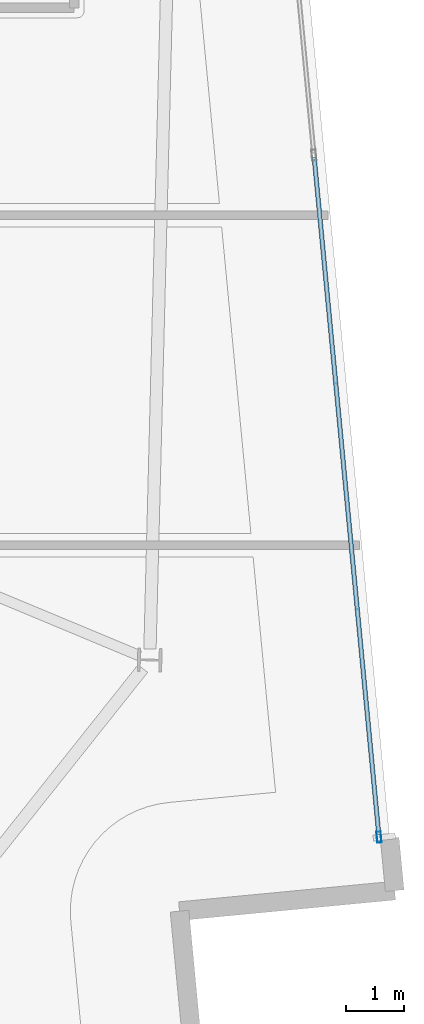
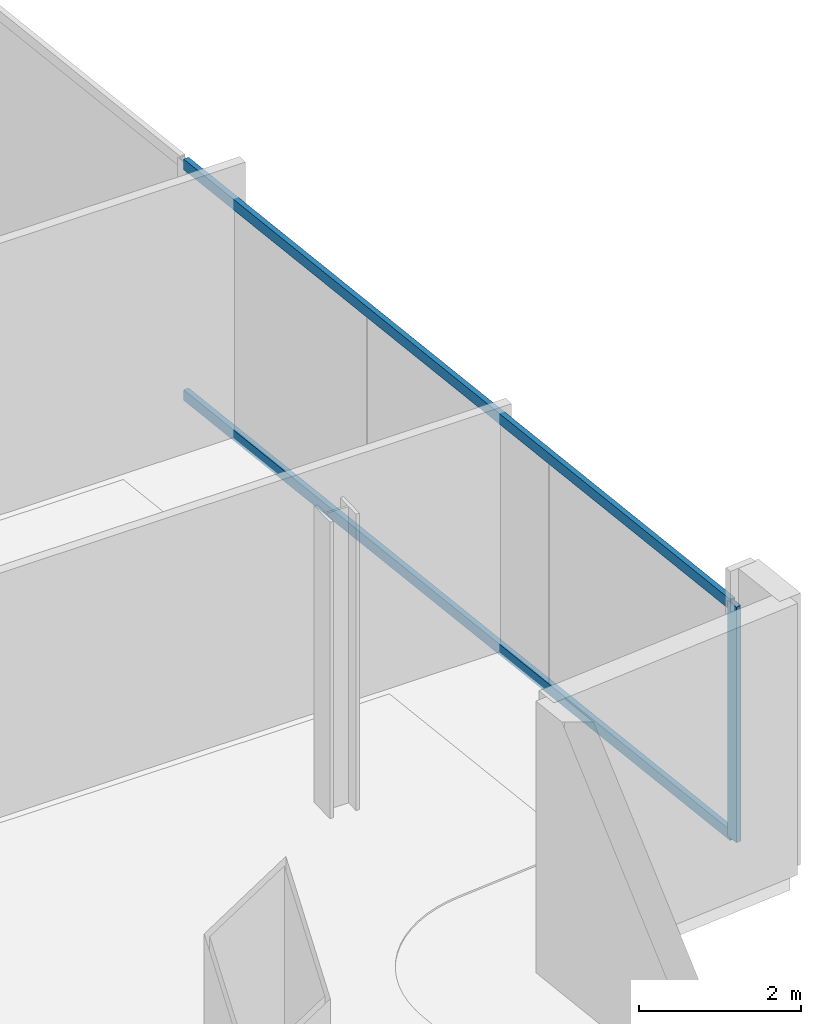
# One storey, part 9 of 24: 3 members, 1 element without a shape of its own.
"""IFC4 building model written with IfcOpenShell, lengths in metres."""

import ifcopenshell
import ifcopenshell.guid

model = None  # the IFC model being written
_history = None  # IfcOwnerHistory: only IFC2X3 demands one
_inside = {}  # id of a spatial element -> (the spatial element, [elements in it])
_under = {}  # id of a project, library or spatial element -> (it, [spatial elements below it])
_declared = {}  # id of a project -> (the project, [libraries it declares])
_typed = {}  # id of a type object -> (the type object, [elements of that type])
_made_of = {}  # id of a material, layer set ... -> (it, [elements and type objects made of it])


def new_model(schema):
    """Start an empty IFC model of exactly this schema.

    Asked for "IFC4X3", IfcOpenShell would pick the latest addendum, in which some entities
    have other attributes; the version numbers below select the first issue.
    IFC2X3 requires an IfcOwnerHistory on every rooted entity: one is made here for all.
    """
    global model, _history
    if schema == "IFC4X3":
        model = ifcopenshell.file(schema_version=(4, 3, 0, 0))
    else:
        model = ifcopenshell.file(schema=schema)
    _inside.clear()
    _under.clear()
    _declared.clear()
    _typed.clear()
    _made_of.clear()
    _history = None
    if model.schema == "IFC2X3":
        org = make("IfcOrganization", Name="unknown")
        user = make(
            "IfcPersonAndOrganization",
            ThePerson=make("IfcPerson", FamilyName="unknown"),
            TheOrganization=org,
        )
        app = make(
            "IfcApplication",
            ApplicationDeveloper=org,
            Version="unknown",
            ApplicationFullName="unknown",
            ApplicationIdentifier="unknown",
        )
        _history = make(
            "IfcOwnerHistory",
            OwningUser=user,
            OwningApplication=app,
            ChangeAction="ADDED",
            CreationDate=0,
        )
    return model


def make(cls, **values):
    """One entity of the class cls with the attributes given. An attribute that is None is left unset."""
    return model.create_entity(
        cls, **{name: value for name, value in values.items() if value is not None}
    )


def rooted(cls, **values):
    """An entity with a GlobalId (a new one), such as an element, a storey or a relation."""
    return make(cls, GlobalId=ifcopenshell.guid.new(), OwnerHistory=_history, **values)


def si_unit(unit_type, name, prefix=None):
    """IfcSIUnit, for example si_unit("LENGTHUNIT", "METRE", prefix="MILLI")."""
    return make("IfcSIUnit", UnitType=unit_type, Prefix=prefix, Name=name)


def assignment(units):
    """IfcUnitAssignment: the units of a project."""
    return None if units is None else make("IfcUnitAssignment", Units=units)


def point(xyz):
    """IfcCartesianPoint."""
    return None if xyz is None else make("IfcCartesianPoint", Coordinates=xyz)


def direction(xyz):
    """IfcDirection."""
    return None if xyz is None else make("IfcDirection", DirectionRatios=xyz)


def frame(location, z_axis=None, x_axis=None):
    """IfcAxis2Placement3D, a coordinate frame: its origin and axes. An axis left out is left unset."""
    return make(
        "IfcAxis2Placement3D",
        Location=point(location),
        Axis=direction(z_axis),
        RefDirection=direction(x_axis),
    )


def frame_2d(location, x_axis=None):
    """IfcAxis2Placement2D, a coordinate frame in the plane: its origin and x axis."""
    return make(
        "IfcAxis2Placement2D", Location=point(location), RefDirection=direction(x_axis)
    )


def origin():
    """The frame at (0, 0, 0) with its axes left unset."""
    return frame((0.0, 0.0, 0.0))


def origin_2d():
    """The frame at (0, 0) in the plane with its x axis left unset."""
    return frame_2d((0.0, 0.0))


def place(relative_to, where):
    """IfcLocalPlacement: puts the frame where relative to a parent placement (None: the world)."""
    return make(
        "IfcLocalPlacement", PlacementRelTo=relative_to, RelativePlacement=where
    )


def context(
    kind, dimensions, precision=None, world=None, true_north=None, identifier=None
):
    """IfcGeometricRepresentationContext, for example the 3D "Model" context."""
    return make(
        "IfcGeometricRepresentationContext",
        ContextIdentifier=identifier,
        ContextType=kind,
        CoordinateSpaceDimension=dimensions,
        Precision=precision,
        WorldCoordinateSystem=world,
        TrueNorth=true_north,
    )


def subcontext(parent, identifier, kind, view, scale=None):
    """IfcGeometricRepresentationSubContext, for example "Body" below "Model"."""
    return make(
        "IfcGeometricRepresentationSubContext",
        ContextIdentifier=identifier,
        ContextType=kind,
        ParentContext=parent,
        TargetScale=scale,
        TargetView=view,
    )


def project(units=None, contexts=None):
    """IfcProject with its units and contexts."""
    return rooted(
        "IfcProject",
        Name="project",
        RepresentationContexts=contexts,
        UnitsInContext=assignment(units),
    )


def spatial(cls, under=None, at=None, **own):
    """A site, building, storey or space (cls), placed at a placement, below another one or the project."""
    s = rooted(cls, ObjectPlacement=at, **own)
    if under is not None:
        _under.setdefault(under.id(), (under, []))[1].append(s)
    return s


def profile(cls, at=None, kind="AREA", **sizes):
    """A parametric profile (cls). Its sizes go by their IFC names, for example OverallWidth=200.0."""
    return make(cls, ProfileType=kind, Position=at, **sizes)


def hollow_rectangle(**sizes):
    """IfcRectangleHollowProfileDef."""
    return profile("IfcRectangleHollowProfileDef", **sizes)


def extrude(swept, where, along, depth):
    """IfcExtrudedAreaSolid: the profile swept, set in the frame where, extruded along a direction by depth."""
    return make(
        "IfcExtrudedAreaSolid",
        SweptArea=swept,
        Position=where,
        ExtrudedDirection=direction(along),
        Depth=depth,
    )


def shape(context_of_items, identifier, shape_type, items):
    """IfcShapeRepresentation: the items that make up one representation, for example the "Body"."""
    return make(
        "IfcShapeRepresentation",
        ContextOfItems=context_of_items,
        RepresentationIdentifier=identifier,
        RepresentationType=shape_type,
        Items=items,
    )


def material(Name=None, Category=None):
    """IfcMaterial."""
    return make("IfcMaterial", Name=Name, Category=Category)


def material_profile(
    of_material, cross_section, Name=None, Category=None, Priority=None
):
    """IfcMaterialProfile: a cross section and its material."""
    return make(
        "IfcMaterialProfile",
        Name=Name,
        Material=of_material,
        Profile=cross_section,
        Priority=Priority,
        Category=Category,
    )


def profile_set(profiles, Name=None, composite=None):
    """IfcMaterialProfileSet."""
    return make(
        "IfcMaterialProfileSet",
        Name=Name,
        MaterialProfiles=profiles,
        CompositeProfile=composite,
    )


def made_of(thing, what):
    """Note that an element or type object is made of a material, layer set ...; save() writes the relation."""
    if what is not None:
        _made_of.setdefault(what.id(), (what, []))[1].append(thing)
    return thing


def type_object(cls, material=None, **own):
    """A type object (cls), such as IfcWallType, which elements share."""
    return made_of(rooted(cls, **own), material)


def element(
    cls,
    number,
    at=None,
    inside=None,
    cuts=None,
    type_object=None,
    material=None,
    context=None,
    identifier="Body",
    shape_type=None,
    held_by="IfcProductDefinitionShape",
    body=None,
    shapes=None,
    **own,
):
    """One element of the class cls, such as IfcWall. Its Tag is "e" and its number.

    at: its placement. inside: the storey or other place that contains it. cuts: it is an
    opening in that element (IfcRelVoidsElement). A single representation is given by context,
    identifier, shape_type and body (its items); several are given by shapes. held_by: the class
    of the entity that holds the representations. save() writes the other relations.
    """
    e = rooted(cls, Tag="e%d" % number, ObjectPlacement=at, **own)
    if body is not None:
        shapes = [shape(context, identifier, shape_type, body)]
    if shapes is not None:
        e.Representation = make(held_by, Representations=shapes)
    if inside is not None:
        _inside.setdefault(inside.id(), (inside, []))[1].append(e)
    if cuts is not None:
        rooted(
            "IfcRelVoidsElement", RelatingBuildingElement=cuts, RelatedOpeningElement=e
        )
    if type_object is not None:
        _typed.setdefault(type_object.id(), (type_object, []))[1].append(e)
    return made_of(e, material)


def aggregate(whole, parts):
    """IfcRelAggregates: a whole, such as a stair, and the parts it consists of."""
    return rooted("IfcRelAggregates", RelatingObject=whole, RelatedObjects=parts)


def save(model, path):
    """Write the relations noted so far, then the file.

    IfcRelAggregates (storeys below a building ...), IfcRelContainedInSpatialStructure (elements
    in a storey), IfcRelDefinesByType, IfcRelAssociatesMaterial and IfcRelDeclares: one each for
    every whole, place, type object, material and project.
    """
    for whole, parts in _under.values():
        aggregate(whole, parts)
    for where, things in _inside.values():
        rooted(
            "IfcRelContainedInSpatialStructure",
            RelatedElements=things,
            RelatingStructure=where,
        )
    for kind, things in _typed.values():
        rooted("IfcRelDefinesByType", RelatedObjects=things, RelatingType=kind)
    for what, things in _made_of.values():
        rooted("IfcRelAssociatesMaterial", RelatedObjects=things, RelatingMaterial=what)
    for by, libraries in _declared.values():
        rooted("IfcRelDeclares", RelatingContext=by, RelatedDefinitions=libraries)
    model.write(path)


model = new_model("IFC4")

# Units and contexts
model_context = context("Model", 3, precision=1e-05, world=origin(), true_north=direction((0.0, 1.0)))
body_context = subcontext(model_context, "Body", "Model", "MODEL_VIEW")
ifc_project = project(units=[si_unit("LENGTHUNIT", "METRE"), si_unit("AREAUNIT", "SQUARE_METRE"), si_unit("VOLUMEUNIT", "CUBIC_METRE"), si_unit("PLANEANGLEUNIT", "RADIAN"), si_unit("MASSUNIT", "GRAM", prefix="KILO")], contexts=[model_context])

# Site, building, storey
site_placement = place(None, origin())
site = spatial("IfcSite", under=ifc_project, at=site_placement, CompositionType="ELEMENT")
building_placement = place(site_placement, origin())
building = spatial("IfcBuilding", under=site, at=building_placement, Name="Haldenkirk Collegiate Tower", CompositionType="ELEMENT")
storey_placement = place(building_placement, frame((0.0, 0.0, 347.699951171875)))
storey = spatial("IfcBuildingStorey", under=building, at=storey_placement, Name="L88", CompositionType="ELEMENT", Elevation=347.699951171875)

# Curtain wall, members
ifc_material = material(Name="Anodised architectural bronze aluminium", Category="aluminium")
curtain_wall_type = type_object("IfcCurtainWallType", Name="CW-SYS2-CONCAVE", PredefinedType="USERDEFINED", material=ifc_material)
curtain_wall_placement = place(storey_placement, origin())
curtain_wall = element("IfcCurtainWall", 1, at=curtain_wall_placement, inside=storey, type_object=curtain_wall_type, Name="L88 South concave recessed bronze-anodised curtain wall", ObjectType="UNITISED CURTAIN WALL", PredefinedType="USERDEFINED")
ifc_material_profile_1 = material_profile(ifc_material, hollow_rectangle(XDim=0.074951171875, YDim=0.18994140625, WallThickness=0.0048828125, at=origin_2d()), Name="CW-MUL-02")
ifc_profile_set_1 = profile_set([ifc_material_profile_1], Name="Anodised architectural bronze aluminium")
member_type_1 = type_object("IfcMemberType", Name="CW-MUL-02", PredefinedType="MULLION", material=ifc_profile_set_1)
member_1_placement = place(storey_placement, frame((59.5185546875, 10.55126953125, 0.0), z_axis=(0.0, 0.0, 1.0), x_axis=(0.995479722207, 0.094974326396, 0.0)))
member_1 = element("IfcMember", 2, at=member_1_placement, type_object=member_type_1, Name="CW-02 mullion 4", PredefinedType="MULLION", context=body_context, shape_type="SweptSolid", body=[
    extrude(hollow_rectangle(XDim=0.074951171875, YDim=0.18994140625, WallThickness=0.0048828125, at=origin_2d()), origin(), (0.0, 0.0, 1.0), 3.55810546875),
])
ifc_material_profile_2 = material_profile(ifc_material, hollow_rectangle(XDim=0.074951171875, YDim=0.159912109375, WallThickness=0.0048828125, at=origin_2d()), Name="CW-TRN-02")
ifc_profile_set_2 = profile_set([ifc_material_profile_2], Name="Anodised architectural bronze aluminium")
member_type_2 = type_object("IfcMemberType", Name="CW-TRN-02", PredefinedType="USERDEFINED", material=ifc_profile_set_2)
member_2_placement = place(storey_placement, frame((58.408203125, 22.190185546875, 0.03759765625), z_axis=(0.094960345678, -0.995481055947, 0.0), x_axis=(0.995481055947, 0.094960345678, 0.0)))
member_2 = element("IfcMember", 3, at=member_2_placement, type_object=member_type_2, Name="CW-02 transom 3.1", ObjectType="TRANSOM", PredefinedType="USERDEFINED", context=body_context, shape_type="SweptSolid", body=[
    extrude(hollow_rectangle(XDim=0.074951171875, YDim=0.159912109375, WallThickness=0.0048828125, at=origin_2d()), origin(), (0.0, 0.0, 1.0), 11.654296875),
])
member_3_placement = place(storey_placement, frame((58.408203125, 22.190185546875, 3.5205078125), z_axis=(0.094960345678, -0.995481055947, 0.0), x_axis=(0.995481055947, 0.094960345678, 0.0)))
member_3 = element("IfcMember", 4, at=member_3_placement, type_object=member_type_2, Name="CW-02 transom 3.2", ObjectType="TRANSOM", PredefinedType="USERDEFINED", context=body_context, shape_type="SweptSolid", body=[
    extrude(hollow_rectangle(XDim=0.074951171875, YDim=0.159912109375, WallThickness=0.0048828125, at=origin_2d()), origin(), (0.0, 0.0, 1.0), 11.654296875),
])
aggregate(curtain_wall, [member_1, member_2, member_3])

save(model, "model.ifc")
